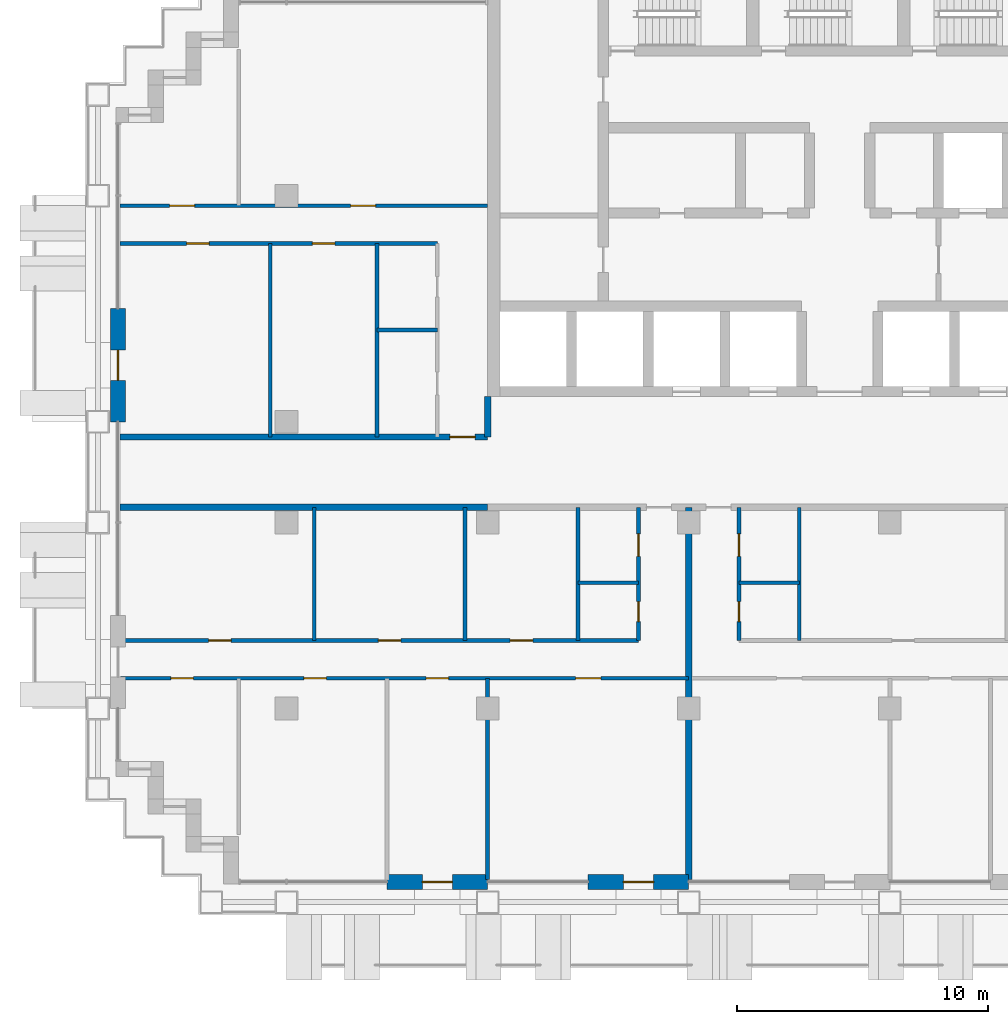
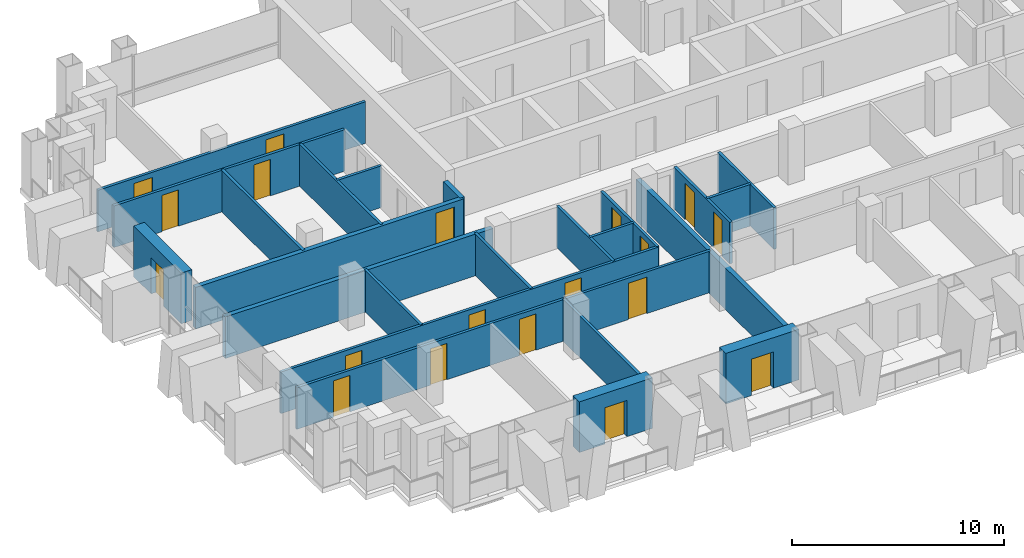
# One storey, part 9 of 17: 23 walls, 19 doors, 19 openings.
"""IFC4 building model written with IfcOpenShell, lengths in metres."""

from ifc_helpers import new_model, si_unit, direction, frame, frame_2d, origin, place, context, subcontext, project, spatial, rectangle, extrude, material, layer, layer_set, type_object, element, fill, save


model = new_model("IFC4")

# Units and contexts
model_context = context("Model", 3, precision=1e-05, world=origin(), true_north=direction((0.0, 1.0)))
body_context = subcontext(model_context, "Body", "Model", "MODEL_VIEW")
ifc_project = project(units=[si_unit("LENGTHUNIT", "METRE"), si_unit("AREAUNIT", "SQUARE_METRE"), si_unit("VOLUMEUNIT", "CUBIC_METRE"), si_unit("PLANEANGLEUNIT", "RADIAN"), si_unit("MASSUNIT", "GRAM", prefix="KILO")], contexts=[model_context])

# Site, building, storey
site_placement = place(None, origin())
site = spatial("IfcSite", under=ifc_project, at=site_placement, CompositionType="ELEMENT")
building_placement = place(site_placement, origin())
building = spatial("IfcBuilding", under=site, at=building_placement, Name="Vidyagriha Tower", CompositionType="ELEMENT")
storey_placement = place(building_placement, frame((0.0, 0.0, 96.699951171875)))
storey = spatial("IfcBuildingStorey", under=building, at=storey_placement, Name="L25", CompositionType="ELEMENT", Elevation=96.699951171875)

# Wall, opening, door
ifc_material_1 = material(Name="Precast concrete C40/50 with brick facing", Category="concrete")
ifc_layer_1 = layer(ifc_material_1, 0.60009765625)
ifc_layer_set_1 = layer_set([ifc_layer_1], Name="Precast concrete C40/50 with brick facing")
wall_type_1 = type_object("IfcWallType", Name="Brick-faced precast wall 600", PredefinedType="STANDARD", material=ifc_layer_set_1)
wall_1_placement = place(storey_placement, frame((-28.699951171875, 6.5, 0.0), z_axis=(0.0, 0.0, 1.0), x_axis=(0.0, -1.0, 0.0)))
wall_1 = element("IfcWall", 1, at=wall_1_placement, inside=storey, type_object=wall_type_1, Name="Brick door bay wall L25 R16.3", PredefinedType="STANDARD", context=body_context, shape_type="SweptSolid", body=[
    extrude(rectangle(XDim=4.5, YDim=0.60009765625, at=frame_2d((2.25, 0.0))), origin(), (0.0, 0.0, 1.0), 2.920166015625),
])
opening_1_placement = place(wall_1_placement, frame((1.64990234375, 0.0, 0.0)))
opening_1 = element("IfcOpeningElement", 2, at=opening_1_placement, cuts=wall_1, Name="Opening D25-66", PredefinedType="OPENING", context=body_context, shape_type="SweptSolid", body=[
    extrude(rectangle(XDim=1.199951171875, YDim=2.10009765625, at=frame_2d((0.60009765625, 1.050048828125))), frame((0.0, 0.31005859375, 0.0), z_axis=(0.0, -1.0, 0.0), x_axis=(1.0, 0.0, 0.0)), (0.0, 0.0, 1.0), 0.6201171875),
])
ifc_material_2 = material(Name="Aluminium framed glazed sliding door", Category="aluminium")
door_type_1 = type_object("IfcDoorType", Name="Balcony sliding door 1200x2100", OperationType="NOTDEFINED", PredefinedType="DOOR", material=ifc_material_2)
door_1_placement = place(opening_1_placement, origin())
door_1 = element("IfcDoor", 3, at=door_1_placement, inside=storey, type_object=door_type_1, Name="Door D25-66", OperationType="SLIDING_TO_LEFT", OverallHeight=2.10009765625, OverallWidth=1.199951171875, PredefinedType="DOOR", context=body_context, shape_type="SweptSolid", body=[
    extrude(rectangle(XDim=1.199951171875, YDim=2.10009765625, at=frame_2d((0.60009765625, 1.050048828125))), frame((0.0, 0.02490234375, 0.0), z_axis=(0.0, -1.0, 0.0), x_axis=(1.0, 0.0, 0.0)), (0.0, 0.0, 1.0), 0.050048828125),
])
fill(opening_1, door_1)

wall_2_placement = place(storey_placement, frame((-18.0, -16.300048828125, 0.0)))
wall_2 = element("IfcWall", 4, at=wall_2_placement, inside=storey, type_object=wall_type_1, Name="Brick door bay wall L25 R23.3", PredefinedType="STANDARD", context=body_context, shape_type="SweptSolid", body=[
    extrude(rectangle(XDim=4.0, YDim=0.60009765625, at=frame_2d((2.0, 0.0))), origin(), (0.0, 0.0, 1.0), 2.920166015625),
])
opening_2_placement = place(wall_2_placement, frame((1.39990234375, 0.0, 0.0)))
opening_2 = element("IfcOpeningElement", 5, at=opening_2_placement, cuts=wall_2, Name="Opening D25-68", PredefinedType="OPENING", context=body_context, shape_type="SweptSolid", body=[
    extrude(rectangle(XDim=1.199951171875, YDim=2.10009765625, at=frame_2d((0.60009765625, 1.050048828125))), frame((0.0, 0.31005859375, 0.0), z_axis=(0.0, -1.0, 0.0), x_axis=(1.0, 0.0, 0.0)), (0.0, 0.0, 1.0), 0.6201171875),
])
door_2_placement = place(opening_2_placement, origin())
door_2 = element("IfcDoor", 6, at=door_2_placement, inside=storey, type_object=door_type_1, Name="Door D25-68", OperationType="SLIDING_TO_LEFT", OverallHeight=2.10009765625, OverallWidth=1.199951171875, PredefinedType="DOOR", context=body_context, shape_type="SweptSolid", body=[
    extrude(rectangle(XDim=1.199951171875, YDim=2.10009765625, at=frame_2d((0.60009765625, 1.050048828125))), frame((0.0, 0.02490234375, 0.0), z_axis=(0.0, -1.0, 0.0), x_axis=(1.0, 0.0, 0.0)), (0.0, 0.0, 1.0), 0.050048828125),
])
fill(opening_2, door_2)

wall_3_placement = place(storey_placement, frame((-10.0, -16.300048828125, 0.0)))
wall_3 = element("IfcWall", 7, at=wall_3_placement, inside=storey, type_object=wall_type_1, Name="Brick door bay wall L25 R23.5", PredefinedType="STANDARD", context=body_context, shape_type="SweptSolid", body=[
    extrude(rectangle(XDim=4.0, YDim=0.60009765625, at=frame_2d((2.0, 0.0))), origin(), (0.0, 0.0, 1.0), 2.920166015625),
])
opening_3_placement = place(wall_3_placement, frame((1.39990234375, 0.0, 0.0)))
opening_3 = element("IfcOpeningElement", 8, at=opening_3_placement, cuts=wall_3, Name="Opening D25-69", PredefinedType="OPENING", context=body_context, shape_type="SweptSolid", body=[
    extrude(rectangle(XDim=1.199951171875, YDim=2.10009765625, at=frame_2d((0.60009765625, 1.050048828125))), frame((0.0, 0.31005859375, 0.0), z_axis=(0.0, -1.0, 0.0), x_axis=(1.0, 0.0, 0.0)), (0.0, 0.0, 1.0), 0.6201171875),
])
door_3_placement = place(opening_3_placement, origin())
door_3 = element("IfcDoor", 9, at=door_3_placement, inside=storey, type_object=door_type_1, Name="Door D25-69", OperationType="SLIDING_TO_LEFT", OverallHeight=2.10009765625, OverallWidth=1.199951171875, PredefinedType="DOOR", context=body_context, shape_type="SweptSolid", body=[
    extrude(rectangle(XDim=1.199951171875, YDim=2.10009765625, at=frame_2d((0.60009765625, 1.050048828125))), frame((0.0, 0.02490234375, 0.0), z_axis=(0.0, -1.0, 0.0), x_axis=(1.0, 0.0, 0.0)), (0.0, 0.0, 1.0), 0.050048828125),
])
fill(opening_3, door_3)

# Wall
ifc_material_3 = material(Name="Fired clay brick masonry", Category="masonry")
ifc_layer_2 = layer(ifc_material_3, 0.25)
ifc_layer_set_2 = layer_set([ifc_layer_2], Name="Fired clay brick masonry")
wall_type_2 = type_object("IfcWallType", Name="Fired clay brick corridor wall 250", PredefinedType="PARTITIONING", material=ifc_layer_set_2)
wall_4_placement = place(storey_placement, frame((-14.0, -1.39990234375, 0.0), z_axis=(0.0, 0.0, 1.0), x_axis=(-1.0, 0.0, 0.0)))
element("IfcWall", 10, at=wall_4_placement, inside=storey, type_object=wall_type_2, Name="Wall all-L25-w065", PredefinedType="PARTITIONING", context=body_context, shape_type="SweptSolid", body=[
    extrude(rectangle(XDim=14.6201171875, YDim=0.25, at=frame_2d((7.31005859375, 0.0))), origin(), (0.0, 0.0, 1.0), 2.400146484375),
])

# Wall, opening, door
wall_5_placement = place(storey_placement, frame((-28.6201171875, 1.39990234375, 0.0)))
wall_5 = element("IfcWall", 11, at=wall_5_placement, inside=storey, type_object=wall_type_2, Name="Wall all-L25-w082", PredefinedType="PARTITIONING", context=body_context, shape_type="SweptSolid", body=[
    extrude(rectangle(XDim=14.6201171875, YDim=0.25, at=frame_2d((7.31005859375, 0.0))), origin(), (0.0, 0.0, 1.0), 2.400146484375),
])
opening_4_placement = place(wall_5_placement, frame((13.1201171875, 0.0, 0.0)))
opening_4 = element("IfcOpeningElement", 12, at=opening_4_placement, cuts=wall_5, Name="Opening D25-50", PredefinedType="OPENING", context=body_context, shape_type="SweptSolid", body=[
    extrude(rectangle(XDim=1.0, YDim=2.10009765625, at=frame_2d((0.5, 1.050048828125))), frame((0.0, 0.135009765625, 0.0), z_axis=(0.0, -1.0, 0.0), x_axis=(1.0, 0.0, 0.0)), (0.0, 0.0, 1.0), 0.27001953125),
])
ifc_material_4 = material(Name="Fire-rated timber door leaf EI 60", Category="wood")
door_type_2 = type_object("IfcDoorType", Name="Flat entrance fire door 1000x2100", OperationType="NOTDEFINED", PredefinedType="DOOR", material=ifc_material_4)
door_4_placement = place(opening_4_placement, origin())
door_4 = element("IfcDoor", 13, at=door_4_placement, inside=storey, type_object=door_type_2, Name="Door D25-50", OperationType="SINGLE_SWING_RIGHT", OverallHeight=2.10009765625, OverallWidth=1.0, PredefinedType="DOOR", context=body_context, shape_type="SweptSolid", body=[
    extrude(rectangle(XDim=1.0, YDim=2.10009765625, at=frame_2d((0.5, 1.050048828125))), frame((0.0, 0.02490234375, 0.0), z_axis=(0.0, -1.0, 0.0), x_axis=(1.0, 0.0, 0.0)), (0.0, 0.0, 1.0), 0.050048828125),
])
fill(opening_4, door_4)

# Walls
wall_6_placement = place(storey_placement, frame((-14.0, 3.0, 0.0), z_axis=(0.0, 0.0, 1.0), x_axis=(0.0, -1.0, 0.0)))
element("IfcWall", 14, at=wall_6_placement, inside=storey, type_object=wall_type_2, Name="Wall all-L25-w117", PredefinedType="PARTITIONING", context=body_context, shape_type="SweptSolid", body=[
    extrude(rectangle(XDim=1.60009765625, YDim=0.25, at=frame_2d((0.800048828125, 0.0))), origin(), (0.0, 0.0, 1.0), 2.400146484375),
])
ifc_material_5 = material(Name="Fired clay brick masonry", Category="masonry")
ifc_layer_3 = layer(ifc_material_5, 0.25)
ifc_layer_set_3 = layer_set([ifc_layer_3], Name="Fired clay brick masonry")
wall_type_3 = type_object("IfcWallType", Name="Fired clay brick demising wall 250", PredefinedType="PARTITIONING", material=ifc_layer_set_3)
wall_7_placement = place(storey_placement, frame((-6.0, -1.39990234375, 0.0), z_axis=(0.0, 0.0, 1.0), x_axis=(0.0, -1.0, 0.0)))
element("IfcWall", 15, at=wall_7_placement, inside=storey, type_object=wall_type_3, Name="Wall all-L25-w043", PredefinedType="PARTITIONING", context=body_context, shape_type="SweptSolid", body=[
    extrude(rectangle(XDim=14.81005859375, YDim=0.25, at=frame_2d((7.405029296875, 0.0))), origin(), (0.0, 0.0, 1.0), 2.400146484375),
])
ifc_material_6 = material(Name="Gypsum board partition")
ifc_layer_4 = layer(ifc_material_6, 0.14990234375)
ifc_layer_set_4 = layer_set([ifc_layer_4], Name="Gypsum board partition")
wall_type_4 = type_object("IfcWallType", Name="Gypsum board partition 150", PredefinedType="PARTITIONING", material=ifc_layer_set_4)
wall_8_placement = place(storey_placement, frame((-8.0, -4.39990234375, 0.0), z_axis=(0.0, 0.0, 1.0), x_axis=(-1.0, 0.0, 0.0)))
element("IfcWall", 16, at=wall_8_placement, inside=storey, type_object=wall_type_4, Name="Wall all-L25-w004", PredefinedType="PARTITIONING", context=body_context, shape_type="SweptSolid", body=[
    extrude(rectangle(XDim=2.39990234375, YDim=0.14990234375, at=frame_2d((1.199951171875, 0.0))), origin(), (0.0, 0.0, 1.0), 2.400146484375),
])
for number, where, z_axis, x_axis, name in (
    (17, (-10.39990234375, -6.699951171875, 0.0), (0.0, 0.0, 1.0), (0.0, 1.0, 0.0), "Wall all-L25-w005"),
    (18, (-14.89990234375, -6.699951171875, 0.0), (0.0, 0.0, 1.0), (0.0, 1.0, 0.0), "Wall all-L25-w006"),
    (19, (-20.89990234375, -6.699951171875, 0.0), (0.0, 0.0, 1.0), (0.0, 1.0, 0.0), "Wall all-L25-w007"),
):
    element("IfcWall", number, at=place(storey_placement, frame(where, z_axis=z_axis, x_axis=x_axis)), inside=storey, type_object=wall_type_4, Name=name, PredefinedType="PARTITIONING", context=body_context, shape_type="SweptSolid", body=[
        extrude(rectangle(XDim=5.300048828125, YDim=0.14990234375, at=frame_2d((2.64990234375, 0.0))), origin(), (0.0, 0.0, 1.0), 2.400146484375),
    ])

# Wall, openings, doors
wall_9_placement = place(storey_placement, frame((-28.610107421875, -6.699951171875, 0.0)))
wall_9 = element("IfcWall", 20, at=wall_9_placement, inside=storey, type_object=wall_type_4, Name="Wall all-L25-w008", PredefinedType="PARTITIONING", context=body_context, shape_type="SweptSolid", body=[
    extrude(rectangle(XDim=20.610107421875, YDim=0.14990234375, at=frame_2d((10.30517578125, 0.0))), origin(), (0.0, 0.0, 1.0), 2.400146484375),
])
opening_5_placement = place(wall_9_placement, frame((15.510009765625, 0.0, 0.0)))
opening_5 = element("IfcOpeningElement", 21, at=opening_5_placement, cuts=wall_9, Name="Opening D25-15", PredefinedType="OPENING", context=body_context, shape_type="SweptSolid", body=[
    extrude(rectangle(XDim=0.89990234375, YDim=2.10009765625, at=frame_2d((0.449951171875, 1.050048828125))), frame((0.0, 0.0849609375, 0.0), z_axis=(0.0, -1.0, 0.0), x_axis=(1.0, 0.0, 0.0)), (0.0, 0.0, 1.0), 0.169921875),
])
opening_6_placement = place(wall_9_placement, frame((10.260009765625, 0.0, 0.0)))
opening_6 = element("IfcOpeningElement", 22, at=opening_6_placement, cuts=wall_9, Name="Opening D25-16", PredefinedType="OPENING", context=body_context, shape_type="SweptSolid", body=[
    extrude(rectangle(XDim=0.89990234375, YDim=2.10009765625, at=frame_2d((0.449951171875, 1.050048828125))), frame((0.0, 0.0849609375, 0.0), z_axis=(0.0, -1.0, 0.0), x_axis=(1.0, 0.0, 0.0)), (0.0, 0.0, 1.0), 0.169921875),
])
opening_7_placement = place(wall_9_placement, frame((3.510009765625, 0.0, 0.0)))
opening_7 = element("IfcOpeningElement", 23, at=opening_7_placement, cuts=wall_9, Name="Opening D25-17", PredefinedType="OPENING", context=body_context, shape_type="SweptSolid", body=[
    extrude(rectangle(XDim=0.89990234375, YDim=2.10009765625, at=frame_2d((0.449951171875, 1.050048828125))), frame((0.0, 0.0849609375, 0.0), z_axis=(0.0, -1.0, 0.0), x_axis=(1.0, 0.0, 0.0)), (0.0, 0.0, 1.0), 0.169921875),
])
ifc_material_7 = material(Name="Timber door leaf", Category="wood")
door_type_3 = type_object("IfcDoorType", Name="Room door 900x2100", OperationType="NOTDEFINED", PredefinedType="DOOR", material=ifc_material_7)
door_5_placement = place(opening_5_placement, origin())
door_5 = element("IfcDoor", 24, at=door_5_placement, inside=storey, type_object=door_type_3, Name="Door D25-15", OperationType="SINGLE_SWING_RIGHT", OverallHeight=2.10009765625, OverallWidth=0.89990234375, PredefinedType="DOOR", context=body_context, shape_type="SweptSolid", body=[
    extrude(rectangle(XDim=0.89990234375, YDim=2.10009765625, at=frame_2d((0.449951171875, 1.050048828125))), frame((0.0, 0.02490234375, 0.0), z_axis=(0.0, -1.0, 0.0), x_axis=(1.0, 0.0, 0.0)), (0.0, 0.0, 1.0), 0.050048828125),
])
fill(opening_5, door_5)
door_6_placement = place(opening_6_placement, origin())
door_6 = element("IfcDoor", 25, at=door_6_placement, inside=storey, type_object=door_type_3, Name="Door D25-16", OperationType="SINGLE_SWING_RIGHT", OverallHeight=2.10009765625, OverallWidth=0.89990234375, PredefinedType="DOOR", context=body_context, shape_type="SweptSolid", body=[
    extrude(rectangle(XDim=0.89990234375, YDim=2.10009765625, at=frame_2d((0.449951171875, 1.050048828125))), frame((0.0, 0.02490234375, 0.0), z_axis=(0.0, -1.0, 0.0), x_axis=(1.0, 0.0, 0.0)), (0.0, 0.0, 1.0), 0.050048828125),
])
fill(opening_6, door_6)
door_7_placement = place(opening_7_placement, origin())
door_7 = element("IfcDoor", 26, at=door_7_placement, inside=storey, type_object=door_type_3, Name="Door D25-17", OperationType="SINGLE_SWING_RIGHT", OverallHeight=2.10009765625, OverallWidth=0.89990234375, PredefinedType="DOOR", context=body_context, shape_type="SweptSolid", body=[
    extrude(rectangle(XDim=0.89990234375, YDim=2.10009765625, at=frame_2d((0.449951171875, 1.050048828125))), frame((0.0, 0.02490234375, 0.0), z_axis=(0.0, -1.0, 0.0), x_axis=(1.0, 0.0, 0.0)), (0.0, 0.0, 1.0), 0.050048828125),
])
fill(opening_7, door_7)

wall_10_placement = place(storey_placement, frame((-6.0, -8.199951171875, 0.0), z_axis=(0.0, 0.0, 1.0), x_axis=(-1.0, 0.0, 0.0)))
wall_10 = element("IfcWall", 27, at=wall_10_placement, inside=storey, type_object=wall_type_4, Name="Wall all-L25-w012", PredefinedType="PARTITIONING", context=body_context, shape_type="SweptSolid", body=[
    extrude(rectangle(XDim=22.610107421875, YDim=0.14990234375, at=frame_2d((11.30517578125, 0.0))), origin(), (0.0, 0.0, 1.0), 2.400146484375),
])
opening_8_placement = place(wall_10_placement, frame((19.699951171875, 0.0, 0.0)))
opening_8 = element("IfcOpeningElement", 28, at=opening_8_placement, cuts=wall_10, Name="Opening D25-18", PredefinedType="OPENING", context=body_context, shape_type="SweptSolid", body=[
    extrude(rectangle(XDim=0.89990234375, YDim=2.10009765625, at=frame_2d((0.449951171875, 1.050048828125))), frame((0.0, 0.0849609375, 0.0), z_axis=(0.0, -1.0, 0.0), x_axis=(1.0, 0.0, 0.0)), (0.0, 0.0, 1.0), 0.169921875),
])
opening_9_placement = place(wall_10_placement, frame((14.410888671875, 0.0, 0.0)))
opening_9 = element("IfcOpeningElement", 29, at=opening_9_placement, cuts=wall_10, Name="Opening D25-19", PredefinedType="OPENING", context=body_context, shape_type="SweptSolid", body=[
    extrude(rectangle(XDim=0.89990234375, YDim=2.10009765625, at=frame_2d((0.449951171875, 1.050048828125))), frame((0.0, 0.0849609375, 0.0), z_axis=(0.0, -1.0, 0.0), x_axis=(1.0, 0.0, 0.0)), (0.0, 0.0, 1.0), 0.169921875),
])
opening_10_placement = place(wall_10_placement, frame((9.550048828125, 0.0, 0.0)))
opening_10 = element("IfcOpeningElement", 30, at=opening_10_placement, cuts=wall_10, Name="Opening D25-20", PredefinedType="OPENING", context=body_context, shape_type="SweptSolid", body=[
    extrude(rectangle(XDim=0.89990234375, YDim=2.10009765625, at=frame_2d((0.449951171875, 1.050048828125))), frame((0.0, 0.0849609375, 0.0), z_axis=(0.0, -1.0, 0.0), x_axis=(1.0, 0.0, 0.0)), (0.0, 0.0, 1.0), 0.169921875),
])
opening_11_placement = place(wall_10_placement, frame((3.5, 0.0, 0.0)))
opening_11 = element("IfcOpeningElement", 31, at=opening_11_placement, cuts=wall_10, Name="Opening D25-21", PredefinedType="OPENING", context=body_context, shape_type="SweptSolid", body=[
    extrude(rectangle(XDim=1.0, YDim=2.10009765625, at=frame_2d((0.5, 1.050048828125))), frame((0.0, 0.0849609375, 0.0), z_axis=(0.0, -1.0, 0.0), x_axis=(1.0, 0.0, 0.0)), (0.0, 0.0, 1.0), 0.169921875),
])
ifc_material_8 = material(Name="Timber door leaf", Category="wood")
door_type_4 = type_object("IfcDoorType", Name="Room door 1000x2100", OperationType="NOTDEFINED", PredefinedType="DOOR", material=ifc_material_8)
door_8_placement = place(opening_11_placement, origin())
door_8 = element("IfcDoor", 32, at=door_8_placement, inside=storey, type_object=door_type_4, Name="Door D25-21", OperationType="SINGLE_SWING_RIGHT", OverallHeight=2.10009765625, OverallWidth=1.0, PredefinedType="DOOR", context=body_context, shape_type="SweptSolid", body=[
    extrude(rectangle(XDim=1.0, YDim=2.10009765625, at=frame_2d((0.5, 1.050048828125))), frame((0.0, 0.02490234375, 0.0), z_axis=(0.0, -1.0, 0.0), x_axis=(1.0, 0.0, 0.0)), (0.0, 0.0, 1.0), 0.050048828125),
])
fill(opening_11, door_8)
door_9_placement = place(opening_8_placement, origin())
door_9 = element("IfcDoor", 33, at=door_9_placement, inside=storey, type_object=door_type_3, Name="Door D25-18", OperationType="SINGLE_SWING_RIGHT", OverallHeight=2.10009765625, OverallWidth=0.89990234375, PredefinedType="DOOR", context=body_context, shape_type="SweptSolid", body=[
    extrude(rectangle(XDim=0.89990234375, YDim=2.10009765625, at=frame_2d((0.449951171875, 1.050048828125))), frame((0.0, 0.02490234375, 0.0), z_axis=(0.0, -1.0, 0.0), x_axis=(1.0, 0.0, 0.0)), (0.0, 0.0, 1.0), 0.050048828125),
])
fill(opening_8, door_9)
door_10_placement = place(opening_9_placement, origin())
door_10 = element("IfcDoor", 34, at=door_10_placement, inside=storey, type_object=door_type_3, Name="Door D25-19", OperationType="SINGLE_SWING_LEFT", OverallHeight=2.10009765625, OverallWidth=0.89990234375, PredefinedType="DOOR", context=body_context, shape_type="SweptSolid", body=[
    extrude(rectangle(XDim=0.89990234375, YDim=2.10009765625, at=frame_2d((0.449951171875, 1.050048828125))), frame((0.0, 0.02490234375, 0.0), z_axis=(0.0, -1.0, 0.0), x_axis=(1.0, 0.0, 0.0)), (0.0, 0.0, 1.0), 0.050048828125),
])
fill(opening_9, door_10)
door_11_placement = place(opening_10_placement, origin())
door_11 = element("IfcDoor", 35, at=door_11_placement, inside=storey, type_object=door_type_3, Name="Door D25-20", OperationType="SINGLE_SWING_RIGHT", OverallHeight=2.10009765625, OverallWidth=0.89990234375, PredefinedType="DOOR", context=body_context, shape_type="SweptSolid", body=[
    extrude(rectangle(XDim=0.89990234375, YDim=2.10009765625, at=frame_2d((0.449951171875, 1.050048828125))), frame((0.0, 0.02490234375, 0.0), z_axis=(0.0, -1.0, 0.0), x_axis=(1.0, 0.0, 0.0)), (0.0, 0.0, 1.0), 0.050048828125),
])
fill(opening_10, door_11)

# Walls
wall_11_placement = place(storey_placement, frame((-14.0, -8.199951171875, 0.0), z_axis=(0.0, 0.0, 1.0), x_axis=(0.0, -1.0, 0.0)))
element("IfcWall", 36, at=wall_11_placement, inside=storey, type_object=wall_type_4, Name="Wall all-L25-w019", PredefinedType="PARTITIONING", context=body_context, shape_type="SweptSolid", body=[
    extrude(rectangle(XDim=8.010009765625, YDim=0.14990234375, at=frame_2d((4.0048828125, 0.0))), origin(), (0.0, 0.0, 1.0), 2.400146484375),
])
wall_12_placement = place(storey_placement, frame((-1.60009765625, -4.39990234375, 0.0), z_axis=(0.0, 0.0, 1.0), x_axis=(-1.0, 0.0, 0.0)))
element("IfcWall", 37, at=wall_12_placement, inside=storey, type_object=wall_type_4, Name="Wall all-L25-w024", PredefinedType="PARTITIONING", context=body_context, shape_type="SweptSolid", body=[
    extrude(rectangle(XDim=2.39990234375, YDim=0.14990234375, at=frame_2d((1.199951171875, 0.0))), origin(), (0.0, 0.0, 1.0), 2.400146484375),
])
wall_13_placement = place(storey_placement, frame((-1.60009765625, -1.39990234375, 0.0), z_axis=(0.0, 0.0, 1.0), x_axis=(0.0, -1.0, 0.0)))
element("IfcWall", 38, at=wall_13_placement, inside=storey, type_object=wall_type_4, Name="Wall all-L25-w025", PredefinedType="PARTITIONING", context=body_context, shape_type="SweptSolid", body=[
    extrude(rectangle(XDim=5.300048828125, YDim=0.14990234375, at=frame_2d((2.64990234375, 0.0))), origin(), (0.0, 0.0, 1.0), 2.400146484375),
])
wall_14_placement = place(storey_placement, frame((-18.39990234375, 5.64990234375, 0.0)))
element("IfcWall", 39, at=wall_14_placement, inside=storey, type_object=wall_type_4, Name="Wall all-L25-w071", PredefinedType="PARTITIONING", context=body_context, shape_type="SweptSolid", body=[
    extrude(rectangle(XDim=2.39990234375, YDim=0.14990234375, at=frame_2d((1.199951171875, 0.0))), origin(), (0.0, 0.0, 1.0), 2.400146484375),
])
for number, where, z_axis, x_axis, name in (
    (40, (-18.39990234375, 1.39990234375, 0.0), (0.0, 0.0, 1.0), (0.0, 1.0, 0.0), "Wall all-L25-w072"),
    (41, (-22.64990234375, 1.39990234375, 0.0), (0.0, 0.0, 1.0), (0.0, 1.0, 0.0), "Wall all-L25-w073"),
):
    element("IfcWall", number, at=place(storey_placement, frame(where, z_axis=z_axis, x_axis=x_axis)), inside=storey, type_object=wall_type_4, Name=name, PredefinedType="PARTITIONING", context=body_context, shape_type="SweptSolid", body=[
        extrude(rectangle(XDim=7.7001953125, YDim=0.14990234375, at=frame_2d((3.85009765625, 0.0))), origin(), (0.0, 0.0, 1.0), 2.400146484375),
    ])

# Wall, openings, doors
wall_15_placement = place(storey_placement, frame((-16.0, 9.10009765625, 0.0), z_axis=(0.0, 0.0, 1.0), x_axis=(-1.0, 0.0, 0.0)))
wall_15 = element("IfcWall", 42, at=wall_15_placement, inside=storey, type_object=wall_type_4, Name="Wall all-L25-w074", PredefinedType="PARTITIONING", context=body_context, shape_type="SweptSolid", body=[
    extrude(rectangle(XDim=12.6201171875, YDim=0.14990234375, at=frame_2d((6.31005859375, 0.0))), origin(), (0.0, 0.0, 1.0), 2.400146484375),
])
opening_12_placement = place(wall_15_placement, frame((4.074951171875, 0.0, 0.0)))
opening_12 = element("IfcOpeningElement", 43, at=opening_12_placement, cuts=wall_15, Name="Opening D25-46", PredefinedType="OPENING", context=body_context, shape_type="SweptSolid", body=[
    extrude(rectangle(XDim=0.89990234375, YDim=2.10009765625, at=frame_2d((0.449951171875, 1.050048828125))), frame((0.0, 0.0849609375, 0.0), z_axis=(0.0, -1.0, 0.0), x_axis=(1.0, 0.0, 0.0)), (0.0, 0.0, 1.0), 0.169921875),
])
opening_13_placement = place(wall_15_placement, frame((9.074951171875, 0.0, 0.0)))
opening_13 = element("IfcOpeningElement", 44, at=opening_13_placement, cuts=wall_15, Name="Opening D25-47", PredefinedType="OPENING", context=body_context, shape_type="SweptSolid", body=[
    extrude(rectangle(XDim=0.89990234375, YDim=2.10009765625, at=frame_2d((0.449951171875, 1.050048828125))), frame((0.0, 0.0849609375, 0.0), z_axis=(0.0, -1.0, 0.0), x_axis=(1.0, 0.0, 0.0)), (0.0, 0.0, 1.0), 0.169921875),
])
door_12_placement = place(opening_12_placement, origin())
door_12 = element("IfcDoor", 45, at=door_12_placement, inside=storey, type_object=door_type_3, Name="Door D25-46", OperationType="SINGLE_SWING_RIGHT", OverallHeight=2.10009765625, OverallWidth=0.89990234375, PredefinedType="DOOR", context=body_context, shape_type="SweptSolid", body=[
    extrude(rectangle(XDim=0.89990234375, YDim=2.10009765625, at=frame_2d((0.449951171875, 1.050048828125))), frame((0.0, 0.02490234375, 0.0), z_axis=(0.0, -1.0, 0.0), x_axis=(1.0, 0.0, 0.0)), (0.0, 0.0, 1.0), 0.050048828125),
])
fill(opening_12, door_12)
door_13_placement = place(opening_13_placement, origin())
door_13 = element("IfcDoor", 46, at=door_13_placement, inside=storey, type_object=door_type_3, Name="Door D25-47", OperationType="SINGLE_SWING_RIGHT", OverallHeight=2.10009765625, OverallWidth=0.89990234375, PredefinedType="DOOR", context=body_context, shape_type="SweptSolid", body=[
    extrude(rectangle(XDim=0.89990234375, YDim=2.10009765625, at=frame_2d((0.449951171875, 1.050048828125))), frame((0.0, 0.02490234375, 0.0), z_axis=(0.0, -1.0, 0.0), x_axis=(1.0, 0.0, 0.0)), (0.0, 0.0, 1.0), 0.050048828125),
])
fill(opening_13, door_13)

wall_16_placement = place(storey_placement, frame((-28.6201171875, 10.60009765625, 0.0)))
wall_16 = element("IfcWall", 47, at=wall_16_placement, inside=storey, type_object=wall_type_4, Name="Wall all-L25-w077", PredefinedType="PARTITIONING", context=body_context, shape_type="SweptSolid", body=[
    extrude(rectangle(XDim=14.6201171875, YDim=0.14990234375, at=frame_2d((7.31005859375, 0.0))), origin(), (0.0, 0.0, 1.0), 2.400146484375),
])
opening_14_placement = place(wall_16_placement, frame((1.969970703125, 0.0, 0.0)))
opening_14 = element("IfcOpeningElement", 48, at=opening_14_placement, cuts=wall_16, Name="Opening D25-48", PredefinedType="OPENING", context=body_context, shape_type="SweptSolid", body=[
    extrude(rectangle(XDim=1.0, YDim=2.10009765625, at=frame_2d((0.5, 1.050048828125))), frame((0.0, 0.0849609375, 0.0), z_axis=(0.0, -1.0, 0.0), x_axis=(1.0, 0.0, 0.0)), (0.0, 0.0, 1.0), 0.169921875),
])
opening_15_placement = place(wall_16_placement, frame((9.169921875, 0.0, 0.0)))
opening_15 = element("IfcOpeningElement", 49, at=opening_15_placement, cuts=wall_16, Name="Opening D25-49", PredefinedType="OPENING", context=body_context, shape_type="SweptSolid", body=[
    extrude(rectangle(XDim=1.0, YDim=2.10009765625, at=frame_2d((0.5, 1.050048828125))), frame((0.0, 0.0849609375, 0.0), z_axis=(0.0, -1.0, 0.0), x_axis=(1.0, 0.0, 0.0)), (0.0, 0.0, 1.0), 0.169921875),
])
door_14_placement = place(opening_14_placement, origin())
door_14 = element("IfcDoor", 50, at=door_14_placement, inside=storey, type_object=door_type_4, Name="Door D25-48", OperationType="SINGLE_SWING_RIGHT", OverallHeight=2.10009765625, OverallWidth=1.0, PredefinedType="DOOR", context=body_context, shape_type="SweptSolid", body=[
    extrude(rectangle(XDim=1.0, YDim=2.10009765625, at=frame_2d((0.5, 1.050048828125))), frame((0.0, 0.02490234375, 0.0), z_axis=(0.0, -1.0, 0.0), x_axis=(1.0, 0.0, 0.0)), (0.0, 0.0, 1.0), 0.050048828125),
])
fill(opening_14, door_14)
door_15_placement = place(opening_15_placement, origin())
door_15 = element("IfcDoor", 51, at=door_15_placement, inside=storey, type_object=door_type_4, Name="Door D25-49", OperationType="SINGLE_SWING_RIGHT", OverallHeight=2.10009765625, OverallWidth=1.0, PredefinedType="DOOR", context=body_context, shape_type="SweptSolid", body=[
    extrude(rectangle(XDim=1.0, YDim=2.10009765625, at=frame_2d((0.5, 1.050048828125))), frame((0.0, 0.02490234375, 0.0), z_axis=(0.0, -1.0, 0.0), x_axis=(1.0, 0.0, 0.0)), (0.0, 0.0, 1.0), 0.050048828125),
])
fill(opening_15, door_15)

ifc_material_9 = material(Name="Moisture resistant gypsum board partition")
ifc_layer_5 = layer(ifc_material_9, 0.14990234375)
ifc_layer_set_5 = layer_set([ifc_layer_5], Name="Moisture resistant gypsum board partition")
wall_type_5 = type_object("IfcWallType", Name="Gypsum board wet-area partition 150", PredefinedType="PARTITIONING", material=ifc_layer_set_5)
wall_17_placement = place(storey_placement, frame((-8.0, -6.699951171875, 0.0), z_axis=(0.0, 0.0, 1.0), x_axis=(0.0, 1.0, 0.0)))
wall_17 = element("IfcWall", 52, at=wall_17_placement, inside=storey, type_object=wall_type_5, Name="Wall all-L25-w001", PredefinedType="PARTITIONING", context=body_context, shape_type="SweptSolid", body=[
    extrude(rectangle(XDim=5.300048828125, YDim=0.14990234375, at=frame_2d((2.64990234375, 0.0))), origin(), (0.0, 0.0, 1.0), 2.400146484375),
])
opening_16_placement = place(wall_17_placement, frame((3.35009765625, 0.0, 0.0)))
opening_16 = element("IfcOpeningElement", 53, at=opening_16_placement, cuts=wall_17, Name="Opening D25-13", PredefinedType="OPENING", context=body_context, shape_type="SweptSolid", body=[
    extrude(rectangle(XDim=0.89990234375, YDim=2.10009765625, at=frame_2d((0.449951171875, 1.050048828125))), frame((0.0, 0.0849609375, 0.0), z_axis=(0.0, -1.0, 0.0), x_axis=(1.0, 0.0, 0.0)), (0.0, 0.0, 1.0), 0.169921875),
])
opening_17_placement = place(wall_17_placement, frame((0.75, 0.0, 0.0)))
opening_17 = element("IfcOpeningElement", 54, at=opening_17_placement, cuts=wall_17, Name="Opening D25-14", PredefinedType="OPENING", context=body_context, shape_type="SweptSolid", body=[
    extrude(rectangle(XDim=0.800048828125, YDim=2.10009765625, at=frame_2d((0.39990234375, 1.050048828125))), frame((0.0, 0.0849609375, 0.0), z_axis=(0.0, -1.0, 0.0), x_axis=(1.0, 0.0, 0.0)), (0.0, 0.0, 1.0), 0.169921875),
])
ifc_material_10 = material(Name="Timber door leaf", Category="wood")
door_type_5 = type_object("IfcDoorType", Name="Bathroom door 800x2100", OperationType="NOTDEFINED", PredefinedType="DOOR", material=ifc_material_10)
door_16_placement = place(opening_17_placement, origin())
door_16 = element("IfcDoor", 55, at=door_16_placement, inside=storey, type_object=door_type_5, Name="Door D25-14", OperationType="SINGLE_SWING_RIGHT", OverallHeight=2.10009765625, OverallWidth=0.800048828125, PredefinedType="DOOR", context=body_context, shape_type="SweptSolid", body=[
    extrude(rectangle(XDim=0.800048828125, YDim=2.10009765625, at=frame_2d((0.39990234375, 1.050048828125))), frame((0.0, 0.02490234375, 0.0), z_axis=(0.0, -1.0, 0.0), x_axis=(1.0, 0.0, 0.0)), (0.0, 0.0, 1.0), 0.050048828125),
])
fill(opening_17, door_16)
ifc_material_11 = material(Name="Timber door leaf", Category="wood")
door_type_6 = type_object("IfcDoorType", Name="Kitchen door 900x2100", OperationType="NOTDEFINED", PredefinedType="DOOR", material=ifc_material_11)
door_17_placement = place(opening_16_placement, origin())
door_17 = element("IfcDoor", 56, at=door_17_placement, inside=storey, type_object=door_type_6, Name="Door D25-13", OperationType="SINGLE_SWING_RIGHT", OverallHeight=2.10009765625, OverallWidth=0.89990234375, PredefinedType="DOOR", context=body_context, shape_type="SweptSolid", body=[
    extrude(rectangle(XDim=0.89990234375, YDim=2.10009765625, at=frame_2d((0.449951171875, 1.050048828125))), frame((0.0, 0.02490234375, 0.0), z_axis=(0.0, -1.0, 0.0), x_axis=(1.0, 0.0, 0.0)), (0.0, 0.0, 1.0), 0.050048828125),
])
fill(opening_16, door_17)

wall_18_placement = place(storey_placement, frame((-4.0, -1.39990234375, 0.0), z_axis=(0.0, 0.0, 1.0), x_axis=(0.0, -1.0, 0.0)))
wall_18 = element("IfcWall", 57, at=wall_18_placement, inside=storey, type_object=wall_type_5, Name="Wall all-L25-w021", PredefinedType="PARTITIONING", context=body_context, shape_type="SweptSolid", body=[
    extrude(rectangle(XDim=5.300048828125, YDim=0.14990234375, at=frame_2d((2.64990234375, 0.0))), origin(), (0.0, 0.0, 1.0), 2.400146484375),
])
opening_18_placement = place(wall_18_placement, frame((1.050048828125, 0.0, 0.0)))
opening_18 = element("IfcOpeningElement", 58, at=opening_18_placement, cuts=wall_18, Name="Opening D25-23", PredefinedType="OPENING", context=body_context, shape_type="SweptSolid", body=[
    extrude(rectangle(XDim=0.89990234375, YDim=2.10009765625, at=frame_2d((0.449951171875, 1.050048828125))), frame((0.0, 0.0849609375, 0.0), z_axis=(0.0, -1.0, 0.0), x_axis=(1.0, 0.0, 0.0)), (0.0, 0.0, 1.0), 0.169921875),
])
opening_19_placement = place(wall_18_placement, frame((3.75, 0.0, 0.0)))
opening_19 = element("IfcOpeningElement", 59, at=opening_19_placement, cuts=wall_18, Name="Opening D25-24", PredefinedType="OPENING", context=body_context, shape_type="SweptSolid", body=[
    extrude(rectangle(XDim=0.800048828125, YDim=2.10009765625, at=frame_2d((0.39990234375, 1.050048828125))), frame((0.0, 0.0849609375, 0.0), z_axis=(0.0, -1.0, 0.0), x_axis=(1.0, 0.0, 0.0)), (0.0, 0.0, 1.0), 0.169921875),
])
door_18_placement = place(opening_19_placement, origin())
door_18 = element("IfcDoor", 60, at=door_18_placement, inside=storey, type_object=door_type_5, Name="Door D25-24", OperationType="SINGLE_SWING_RIGHT", OverallHeight=2.10009765625, OverallWidth=0.800048828125, PredefinedType="DOOR", context=body_context, shape_type="SweptSolid", body=[
    extrude(rectangle(XDim=0.800048828125, YDim=2.10009765625, at=frame_2d((0.39990234375, 1.050048828125))), frame((0.0, 0.02490234375, 0.0), z_axis=(0.0, -1.0, 0.0), x_axis=(1.0, 0.0, 0.0)), (0.0, 0.0, 1.0), 0.050048828125),
])
fill(opening_19, door_18)
door_19_placement = place(opening_18_placement, origin())
door_19 = element("IfcDoor", 61, at=door_19_placement, inside=storey, type_object=door_type_6, Name="Door D25-23", OperationType="SINGLE_SWING_LEFT", OverallHeight=2.10009765625, OverallWidth=0.89990234375, PredefinedType="DOOR", context=body_context, shape_type="SweptSolid", body=[
    extrude(rectangle(XDim=0.89990234375, YDim=2.10009765625, at=frame_2d((0.449951171875, 1.050048828125))), frame((0.0, 0.02490234375, 0.0), z_axis=(0.0, -1.0, 0.0), x_axis=(1.0, 0.0, 0.0)), (0.0, 0.0, 1.0), 0.050048828125),
])
fill(opening_18, door_19)

save(model, "model.ifc")
